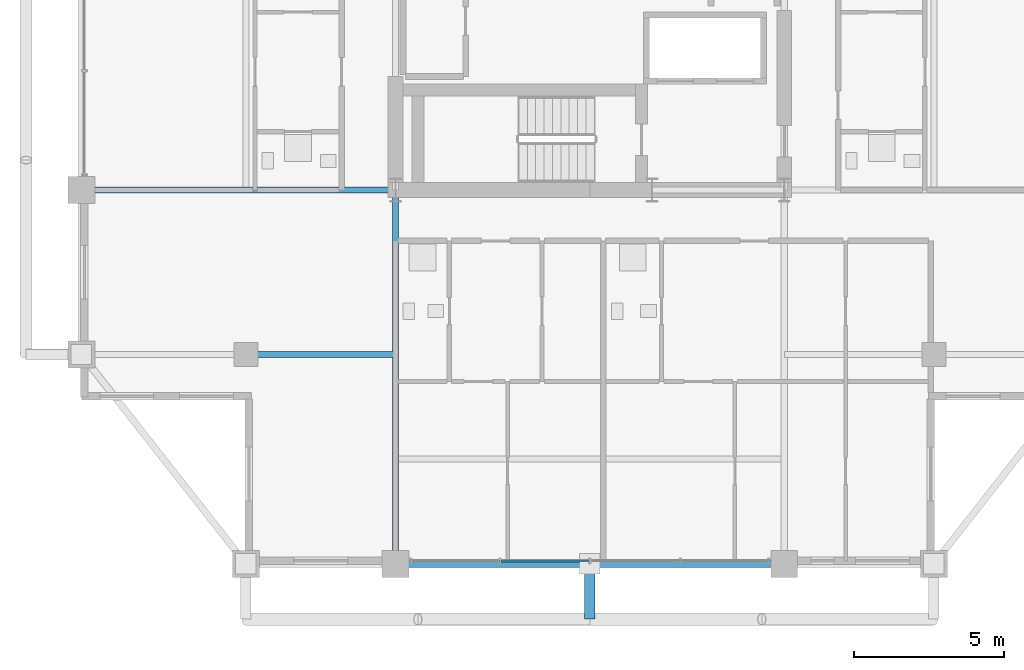
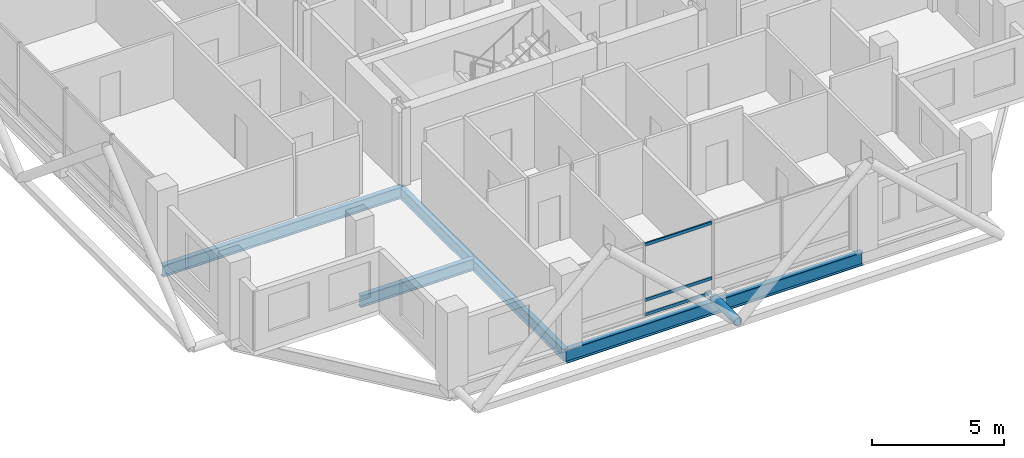
# One storey, part 4 of 25: 4 beams, 4 members, 1 element without a shape of its own.
"""IFC4 building model written with IfcOpenShell, lengths in metres."""

from ifc_helpers import new_model, si_unit, direction, frame, origin, origin_2d, place, context, subcontext, project, spatial, hollow_rectangle, hollow_circle, i_section, extrude, material, layer, layer_set, material_profile, profile_set, type_object, element, aggregate, save


model = new_model("IFC4")

# Units and contexts
model_context = context("Model", 3, precision=1e-05, world=origin(), true_north=direction((0.0, 1.0)))
body_context = subcontext(model_context, "Body", "Model", "MODEL_VIEW")
ifc_project = project(units=[si_unit("LENGTHUNIT", "METRE"), si_unit("AREAUNIT", "SQUARE_METRE"), si_unit("VOLUMEUNIT", "CUBIC_METRE"), si_unit("PLANEANGLEUNIT", "RADIAN"), si_unit("MASSUNIT", "GRAM", prefix="KILO")], contexts=[model_context])

# Site, building, storey
site_placement = place(None, origin())
site = spatial("IfcSite", under=ifc_project, at=site_placement, CompositionType="ELEMENT")
building_placement = place(site_placement, origin())
building = spatial("IfcBuilding", under=site, at=building_placement, Name="Barlavira Tower and Art Museum", CompositionType="ELEMENT")
storey_placement = place(building_placement, frame((0.0, 0.0, 229.5)))
storey = spatial("IfcBuildingStorey", under=building, at=storey_placement, Name="L59", CompositionType="ELEMENT", Elevation=229.5)

# Curtain wall, members
ifc_material_1 = material(Name="Low-iron coastal laminated glass", Category="glass")
ifc_layer = layer(ifc_material_1, 0.2099609375, Name="Low-iron coastal laminated glass")
ifc_layer_set = layer_set([ifc_layer], Name="Low-iron coastal laminated glass")
curtain_wall_type = type_object("IfcCurtainWallType", Name="Pale-Metal Unitised Curtain Wall Zone 4", PredefinedType="NOTDEFINED", material=ifc_layer_set)
curtain_wall_placement = place(storey_placement, origin())
curtain_wall = element("IfcCurtainWall", 1, at=curtain_wall_placement, inside=storey, type_object=curtain_wall_type, Name="L59 Curtain Wall CW4-L59-S-B2", PredefinedType="NOTDEFINED")
ifc_material_2 = material(Name="Pale anodised aluminium", Category="aluminium")
ifc_material_profile_1 = material_profile(ifc_material_2, hollow_rectangle(XDim=0.06494140625, YDim=0.139892578125, WallThickness=0.00390625, at=origin_2d()), Name="ALU-TRAN 65x140x4")
ifc_profile_set_1 = profile_set([ifc_material_profile_1], Name="Pale anodised aluminium")
member_type_1 = type_object("IfcMemberType", Name="Curtain Wall Pale-Metal Transom 65x140", PredefinedType="USERDEFINED", material=ifc_profile_set_1)
member_1_placement = place(storey_placement, frame((-2.969970703125, -19.89990234375, 0.070068359375), z_axis=(1.0, 0.0, 0.0), x_axis=(0.0, 1.0, 0.0)))
member_1 = element("IfcMember", 2, at=member_1_placement, type_object=member_type_1, Name="CW4-L59-S-B2 Transom 1.1", ObjectType="TRANSOM", PredefinedType="USERDEFINED", context=body_context, shape_type="SweptSolid", body=[
    extrude(hollow_rectangle(XDim=0.06494140625, YDim=0.139892578125, WallThickness=0.00390625, at=origin_2d()), origin(), (0.0, 0.0, 1.0), 2.925048828125),
])
member_2_placement = place(storey_placement, frame((-2.969970703125, -19.89990234375, 0.743896484375), z_axis=(1.0, 0.0, 0.0), x_axis=(0.0, 1.0, 0.0)))
member_2 = element("IfcMember", 3, at=member_2_placement, type_object=member_type_1, Name="CW4-L59-S-B2 Transom 1.2", ObjectType="TRANSOM", PredefinedType="USERDEFINED", context=body_context, shape_type="SweptSolid", body=[
    extrude(hollow_rectangle(XDim=0.06494140625, YDim=0.139892578125, WallThickness=0.00390625, at=origin_2d()), origin(), (0.0, 0.0, 1.0), 2.925048828125),
])
member_3_placement = place(storey_placement, frame((-2.969970703125, -19.89990234375, 3.31005859375), z_axis=(1.0, 0.0, 0.0), x_axis=(0.0, 1.0, 0.0)))
member_3 = element("IfcMember", 4, at=member_3_placement, type_object=member_type_1, Name="CW4-L59-S-B2 Transom 1.3", ObjectType="TRANSOM", PredefinedType="USERDEFINED", context=body_context, shape_type="SweptSolid", body=[
    extrude(hollow_rectangle(XDim=0.06494140625, YDim=0.139892578125, WallThickness=0.00390625, at=origin_2d()), origin(), (0.0, 0.0, 1.0), 2.925048828125),
])
aggregate(curtain_wall, [member_1, member_2, member_3])

# Member
ifc_material_3 = material(Name="Steel S355", Category="steel")
ifc_material_profile_2 = material_profile(ifc_material_3, hollow_circle(Radius=0.177734375, WallThickness=0.01611328125, at=origin_2d()), Name="CHS 355.6x16.0")
ifc_profile_set_2 = profile_set([ifc_material_profile_2], Name="Steel S355")
member_type_2 = type_object("IfcMemberType", Name="Pale-Metal Exoskeleton Tie Strut CHS 356x16 Steel S355", PredefinedType="STRUT", material=ifc_profile_set_2)
member_4_placement = place(storey_placement, frame((0.0, -21.85009765625, -0.1201171875), z_axis=(0.0, 1.0, 0.0), x_axis=(-1.0, 0.0, 0.0)))
element("IfcMember", 5, at=member_4_placement, inside=storey, type_object=member_type_2, Name="L59 Exoskeleton Tie Strut S2", PredefinedType="STRUT", context=body_context, shape_type="SweptSolid", body=[
    extrude(hollow_circle(Radius=0.177734375, WallThickness=0.01611328125, at=origin_2d()), origin(), (0.0, 0.0, 1.0), 1.85009765625),
])

# Beams
ifc_material_profile_3 = material_profile(ifc_material_3, i_section(OverallWidth=0.22998046875, OverallDepth=0.616943359375, WebThickness=0.01318359375, FlangeThickness=0.022216796875, at=origin_2d()), Name="W610x140.0")
ifc_profile_set_3 = profile_set([ifc_material_profile_3], Name="Steel S355")
beam_type_1 = type_object("IfcBeamType", Name="Upper Shaft Spandrel Edge Beam W610x140 Steel S355", PredefinedType="SPANDREL", material=ifc_profile_set_3)
beam_1_placement = place(storey_placement, frame((-6.5, -20.0, -0.528564453125), z_axis=(1.0, 0.0, 0.0), x_axis=(0.0, 1.0, 0.0)))
element("IfcBeam", 6, at=beam_1_placement, inside=storey, type_object=beam_type_1, Name="L59 Spandrel 2", PredefinedType="SPANDREL", context=body_context, shape_type="SweptSolid", body=[
    extrude(i_section(OverallWidth=0.22998046875, OverallDepth=0.616943359375, WebThickness=0.01318359375, FlangeThickness=0.022216796875, at=origin_2d()), origin(), (0.0, 0.0, 1.0), 13.0),
])
ifc_material_profile_4 = material_profile(ifc_material_3, i_section(OverallWidth=0.2109375, OverallDepth=0.5390625, WebThickness=0.01171875, FlangeThickness=0.018798828125, at=origin_2d()), Name="W530x109.0")
ifc_profile_set_4 = profile_set([ifc_material_profile_4], Name="Steel S355")
beam_type_2 = type_object("IfcBeamType", Name="Zone 3-4 Primary Floor Girder W530x109 Steel S355", PredefinedType="BEAM", material=ifc_profile_set_4)
beam_2_placement = place(storey_placement, frame((-6.5, -20.0, -0.489501953125), z_axis=(0.0, 1.0, 0.0), x_axis=(-1.0, 0.0, 0.0)))
element("IfcBeam", 7, at=beam_2_placement, inside=storey, type_object=beam_type_2, Name="L59 Girder R-S1", PredefinedType="BEAM", context=body_context, shape_type="SweptSolid", body=[
    extrude(i_section(OverallWidth=0.2109375, OverallDepth=0.5390625, WebThickness=0.01171875, FlangeThickness=0.018798828125, at=origin_2d()), origin(), (0.0, 0.0, 1.0), 12.5),
])
beam_3_placement = place(storey_placement, frame((-17.0, -7.5, -0.489501953125), z_axis=(1.0, 0.0, 0.0), x_axis=(0.0, 1.0, 0.0)))
element("IfcBeam", 8, at=beam_3_placement, inside=storey, type_object=beam_type_2, Name="L59 Girder R-W1", PredefinedType="BEAM", context=body_context, shape_type="SweptSolid", body=[
    extrude(i_section(OverallWidth=0.2109375, OverallDepth=0.5390625, WebThickness=0.01171875, FlangeThickness=0.018798828125, at=origin_2d()), origin(), (0.0, 0.0, 1.0), 10.5),
])
beam_4_placement = place(storey_placement, frame((-11.5, -13.0, -0.489501953125), z_axis=(1.0, 0.0, 0.0), x_axis=(0.0, 1.0, 0.0)))
element("IfcBeam", 9, at=beam_4_placement, inside=storey, type_object=beam_type_2, Name="L59 Girder I-S2", PredefinedType="BEAM", context=body_context, shape_type="SweptSolid", body=[
    extrude(i_section(OverallWidth=0.2109375, OverallDepth=0.5390625, WebThickness=0.01171875, FlangeThickness=0.018798828125, at=origin_2d()), origin(), (0.0, 0.0, 1.0), 5.0),
])

save(model, "model.ifc")
